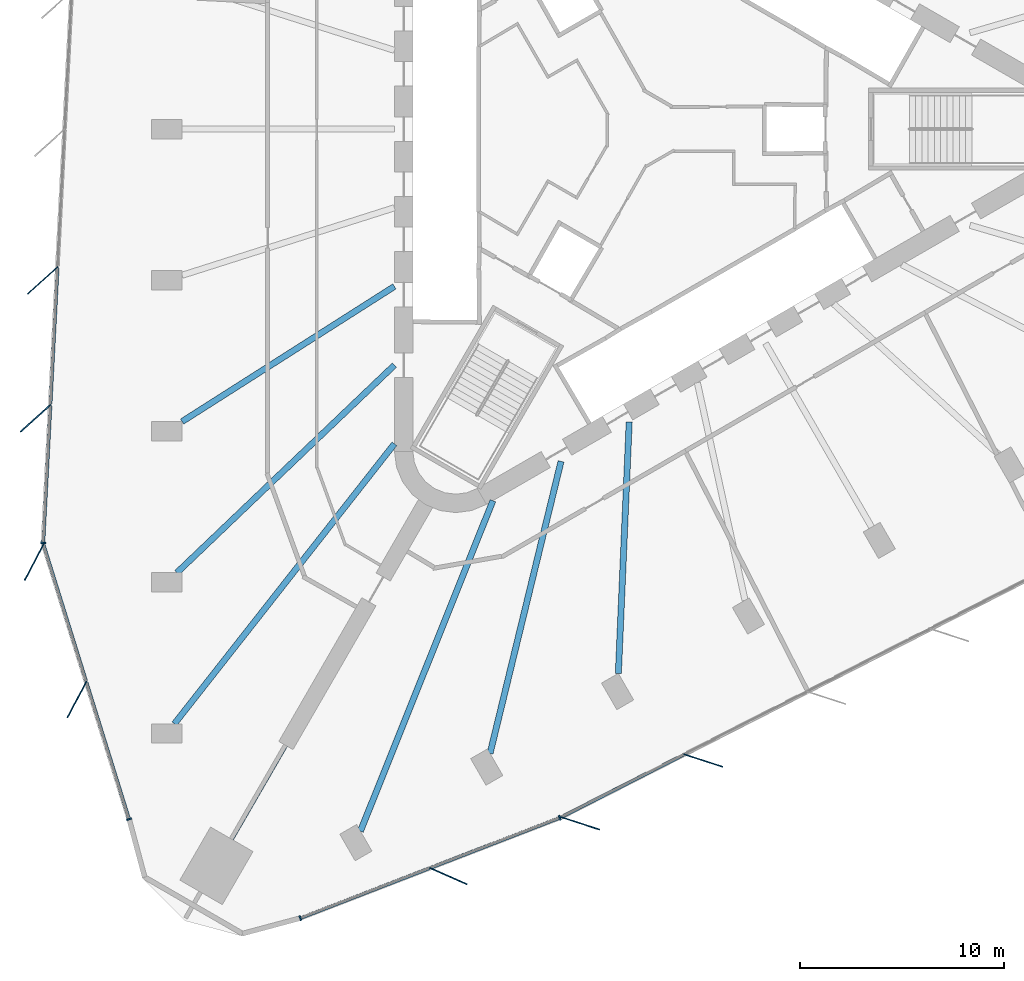
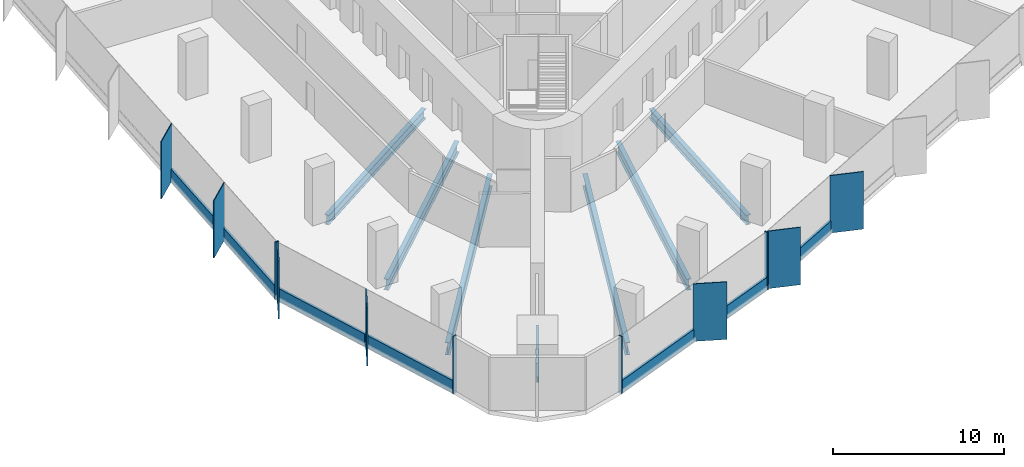
# One storey, part 2 of 14: 18 members, 7 beams, 4 elements without a shape of their own.
"""IFC4 building model written with IfcOpenShell, lengths in metres."""

from ifc_helpers import new_model, si_unit, direction, frame, origin, origin_2d, place, context, subcontext, project, spatial, rectangle, i_section, extrude, material, material_profile, profile_set, type_object, element, aggregate, save


model = new_model("IFC4")

# Units and contexts
model_context = context("Model", 3, precision=1e-05, world=origin(), true_north=direction((0.0, 1.0)))
body_context = subcontext(model_context, "Body", "Model", "MODEL_VIEW")
ifc_project = project(units=[si_unit("LENGTHUNIT", "METRE"), si_unit("AREAUNIT", "SQUARE_METRE"), si_unit("VOLUMEUNIT", "CUBIC_METRE"), si_unit("PLANEANGLEUNIT", "RADIAN"), si_unit("MASSUNIT", "GRAM", prefix="KILO")], contexts=[model_context])

# Site, building, storey
site_placement = place(None, origin())
site = spatial("IfcSite", under=ifc_project, at=site_placement, CompositionType="ELEMENT")
building_placement = place(site_placement, origin())
building = spatial("IfcBuilding", under=site, at=building_placement, Name="Tanit Gate Tower", CompositionType="ELEMENT")
storey_placement = place(building_placement, frame((0.0, 0.0, 78.300048828125)))
storey = spatial("IfcBuildingStorey", under=building, at=storey_placement, Name="L15", CompositionType="ELEMENT", Elevation=78.300048828125)

# Curtain wall, members
ifc_material_1 = material(Name="Aluminium bronze anodised and glass", Category="aluminium")
curtain_wall_type = type_object("IfcCurtainWallType", Name="Curtain wall typical low", PredefinedType="NOTDEFINED", material=ifc_material_1)
curtain_wall_1_placement = place(storey_placement, origin())
curtain_wall_1 = element("IfcCurtainWall", 1, at=curtain_wall_1_placement, inside=storey, type_object=curtain_wall_type, Name="Curtain wall L15 W2", PredefinedType="NOTDEFINED")
ifc_material_2 = material(Name="Aluminium bronze anodised", Category="aluminium")
ifc_material_profile_1 = material_profile(ifc_material_2, rectangle(XDim=2.0, YDim=0.055908203125, at=origin_2d()), Name="56x2000 bronze fin mullion")
ifc_profile_set_1 = profile_set([ifc_material_profile_1], Name="Aluminium bronze anodised")
member_type_1 = type_object("IfcMemberType", Name="FIN MULLION 56x2000 bronze", PredefinedType="MULLION", material=ifc_profile_set_1)
member_1_placement = place(storey_placement, frame((-29.304443359375, -7.400390625, -0.300048828125), z_axis=(0.0, 0.0, 1.0), x_axis=(0.742829073656, 0.66948111798, 0.0)))
member_1 = element("IfcMember", 2, at=member_1_placement, type_object=member_type_1, Name="Fin mullion L15 W2.5", PredefinedType="MULLION", context=body_context, shape_type="SweptSolid", body=[
    extrude(rectangle(XDim=2.0, YDim=0.055908203125, at=origin_2d()), origin(), (0.0, 0.0, 1.0), 4.10009765625),
])
member_2_placement = place(storey_placement, frame((-29.65478515625, -14.148193359375, -0.300048828125), z_axis=(0.0, 0.0, 1.0), x_axis=(0.742829073656, 0.66948111798, 0.0)))
member_2 = element("IfcMember", 3, at=member_2_placement, type_object=member_type_1, Name="Fin mullion L15 W2.6", PredefinedType="MULLION", context=body_context, shape_type="SweptSolid", body=[
    extrude(rectangle(XDim=2.0, YDim=0.055908203125, at=origin_2d()), origin(), (0.0, 0.0, 1.0), 4.10009765625),
])

curtain_wall_2_placement = place(storey_placement, origin())
curtain_wall_2 = element("IfcCurtainWall", 4, at=curtain_wall_2_placement, inside=storey, type_object=curtain_wall_type, Name="Curtain wall L15 W3", PredefinedType="NOTDEFINED")
member_3_placement = place(storey_placement, frame((-29.7236328125, -21.184814453125, -0.300048828125), z_axis=(0.0, 0.0, 1.0), x_axis=(0.464713557167, 0.885461071863, 0.0)))
member_3 = element("IfcMember", 5, at=member_3_placement, type_object=member_type_1, Name="Fin mullion L15 W3.1", PredefinedType="MULLION", context=body_context, shape_type="SweptSolid", body=[
    extrude(rectangle(XDim=2.0, YDim=0.055908203125, at=origin_2d()), origin(), (0.0, 0.0, 1.0), 4.10009765625),
])
member_4_placement = place(storey_placement, frame((-27.630126953125, -27.903076171875, -0.300048828125), z_axis=(0.0, 0.0, 1.0), x_axis=(0.464713557167, 0.885461071863, 0.0)))
member_4 = element("IfcMember", 6, at=member_4_placement, type_object=member_type_1, Name="Fin mullion L15 W3.2", PredefinedType="MULLION", context=body_context, shape_type="SweptSolid", body=[
    extrude(rectangle(XDim=2.0, YDim=0.055908203125, at=origin_2d()), origin(), (0.0, 0.0, 1.0), 4.10009765625),
])

# Curtain wall, member
curtain_wall_3_placement = place(storey_placement, origin())
curtain_wall_3 = element("IfcCurtainWall", 7, at=curtain_wall_3_placement, inside=storey, type_object=curtain_wall_type, Name="Curtain wall L15 SE1", PredefinedType="NOTDEFINED")
member_5_placement = place(storey_placement, frame((-9.4658203125, -36.538818359375, -0.300048828125), z_axis=(0.0, 0.0, 1.0), x_axis=(-0.914560400903, 0.404449345531, 0.0)))
member_5 = element("IfcMember", 8, at=member_5_placement, type_object=member_type_1, Name="Fin mullion L15 SE1.2", PredefinedType="MULLION", context=body_context, shape_type="SweptSolid", body=[
    extrude(rectangle(XDim=2.0, YDim=0.055908203125, at=origin_2d()), origin(), (0.0, 0.0, 1.0), 4.10009765625),
])

# Curtain wall, members
curtain_wall_4_placement = place(storey_placement, origin())
curtain_wall_4 = element("IfcCurtainWall", 9, at=curtain_wall_4_placement, inside=storey, type_object=curtain_wall_type, Name="Curtain wall L15 SE2", PredefinedType="NOTDEFINED")
member_6_placement = place(storey_placement, frame((-3.013916015625, -33.959228515625, -0.300048828125), z_axis=(0.0, 0.0, 1.0), x_axis=(-0.951202192353, 0.308568289465, 0.0)))
member_6 = element("IfcMember", 10, at=member_6_placement, type_object=member_type_1, Name="Fin mullion L15 SE2.1", PredefinedType="MULLION", context=body_context, shape_type="SweptSolid", body=[
    extrude(rectangle(XDim=2.0, YDim=0.055908203125, at=origin_2d()), origin(), (0.0, 0.0, 1.0), 4.10009765625),
])
member_7_placement = place(storey_placement, frame((3.0048828125, -30.888916015625, -0.300048828125), z_axis=(0.0, 0.0, 1.0), x_axis=(-0.951202192353, 0.308568289465, 0.0)))
member_7 = element("IfcMember", 11, at=member_7_placement, type_object=member_type_1, Name="Fin mullion L15 SE2.2", PredefinedType="MULLION", context=body_context, shape_type="SweptSolid", body=[
    extrude(rectangle(XDim=2.0, YDim=0.055908203125, at=origin_2d()), origin(), (0.0, 0.0, 1.0), 4.10009765625),
])

# Member
ifc_material_3 = material(Name="Aluminium bronze anodised", Category="aluminium")
ifc_material_profile_2 = material_profile(ifc_material_3, rectangle(XDim=0.239990234375, YDim=0.080078125, at=origin_2d()), Name="80x240 bronze mullion")
ifc_profile_set_2 = profile_set([ifc_material_profile_2], Name="Aluminium bronze anodised")
member_type_2 = type_object("IfcMemberType", Name="Mullion 80x240 typical low", PredefinedType="MULLION", material=ifc_profile_set_2)
member_8_placement = place(storey_placement, frame((-29.279296875, -20.241455078125, -0.300048828125), z_axis=(0.0, 0.0, 1.0), x_axis=(0.998654113645, -0.051864836844, 0.0)))
member_8 = element("IfcMember", 12, at=member_8_placement, type_object=member_type_2, Name="Mullion L15 W2.7", PredefinedType="MULLION", context=body_context, shape_type="SweptSolid", body=[
    extrude(rectangle(XDim=0.239990234375, YDim=0.080078125, at=origin_2d()), origin(), (0.0, 0.0, 1.0), 4.10009765625),
])

member_9_placement = place(storey_placement, frame((-25.082275390625, -33.755859375, -0.300048828125), z_axis=(0.0, 0.0, 1.0), x_axis=(0.954717635973, 0.297513420809, 0.0)))
member_9 = element("IfcMember", 13, at=member_9_placement, type_object=member_type_2, Name="Mullion L15 W3.3", PredefinedType="MULLION", context=body_context, shape_type="SweptSolid", body=[
    extrude(rectangle(XDim=0.239990234375, YDim=0.080078125, at=origin_2d()), origin(), (0.0, 0.0, 1.0), 4.10009765625),
])

member_10_placement = place(storey_placement, frame((-16.70263671875, -38.596435546875, -0.300048828125), z_axis=(0.0, 0.0, 1.0), x_axis=(-0.360702986411, 0.932680736155, 0.0)))
member_10 = element("IfcMember", 14, at=member_10_placement, type_object=member_type_2, Name="Mullion L15 SE1.1", PredefinedType="MULLION", context=body_context, shape_type="SweptSolid", body=[
    extrude(rectangle(XDim=0.239990234375, YDim=0.080078125, at=origin_2d()), origin(), (0.0, 0.0, 1.0), 4.10009765625),
])

member_11_placement = place(storey_placement, frame((-4.0166015625, -33.6904296875, -0.300048828125), z_axis=(0.0, 0.0, 1.0), x_axis=(-0.360702986411, 0.932680736155, 0.0)))
member_11 = element("IfcMember", 15, at=member_11_placement, type_object=member_type_2, Name="Mullion L15 SE1.3", PredefinedType="MULLION", context=body_context, shape_type="SweptSolid", body=[
    extrude(rectangle(XDim=0.239990234375, YDim=0.080078125, at=origin_2d()), origin(), (0.0, 0.0, 1.0), 4.10009765625),
])

# Beams
ifc_material_4 = material(Name="Steel S355", Category="steel")
ifc_material_profile_3 = material_profile(ifc_material_4, i_section(OverallWidth=0.300048828125, OverallDepth=0.68994140625, WebThickness=0.014404296875, FlangeThickness=0.027099609375, FilletRadius=0.027099609375, at=origin_2d()), Name="HEA 700")
ifc_profile_set_3 = profile_set([ifc_material_profile_3], Name="Steel S355")
beam_type_1 = type_object("IfcBeamType", Name="RADIAL GIRDER HEA 700 S355", PredefinedType="BEAM", material=ifc_profile_set_3)
for number, where, z_axis, x_axis, name in (
    (16, (-22.489013671875, -14.307861328125, -0.64501953125), (0.843716193989, 0.536789515546, 0.0), (-0.536789515546, 0.843716193989, 0.0), "RADIAL GIRDER"),
    (17, (-1.146484375, -26.6298828125, -0.64501953125), (0.043013806202, 0.999074477942, 0.0), (-0.999074477942, 0.043013806202, 0.0), "RADIAL GIRDER"),
):
    element("IfcBeam", number, at=place(storey_placement, frame(where, z_axis=z_axis, x_axis=x_axis)), inside=storey, type_object=beam_type_1, Name=name, PredefinedType="BEAM", context=body_context, shape_type="SweptSolid", body=[
        extrude(i_section(OverallWidth=0.300048828125, OverallDepth=0.68994140625, WebThickness=0.014404296875, FlangeThickness=0.027099609375, FilletRadius=0.027099609375, at=origin_2d()), origin(), (0.0, 0.0, 1.0), 12.31103515625),
    ])
ifc_material_5 = material(Name="Steel S355", Category="steel")
ifc_material_profile_4 = material_profile(ifc_material_5, i_section(OverallWidth=0.300048828125, OverallDepth=0.7900390625, WebThickness=0.014892578125, FlangeThickness=0.028076171875, FilletRadius=0.030029296875, at=origin_2d()), Name="HEA 800")
ifc_profile_set_4 = profile_set([ifc_material_profile_4], Name="Steel S355")
beam_type_2 = type_object("IfcBeamType", Name="RADIAL GIRDER HEA 800 S355", PredefinedType="BEAM", material=ifc_profile_set_4)
for number, where, z_axis, x_axis, name in (
    (18, (-22.738037109375, -21.69921875, -0.695068359375), (0.723444887899, 0.690382136337, 0.0), (-0.690382136337, 0.723444887899, 0.0), "RADIAL GIRDER"),
    (19, (-7.423095703125, -30.541259765625, -0.695068359375), (0.236169367987, 0.971711906701, 0.0), (-0.971711906701, 0.236169367987, 0.0), "RADIAL GIRDER"),
):
    element("IfcBeam", number, at=place(storey_placement, frame(where, z_axis=z_axis, x_axis=x_axis)), inside=storey, type_object=beam_type_2, Name=name, PredefinedType="BEAM", context=body_context, shape_type="SweptSolid", body=[
        extrude(i_section(OverallWidth=0.300048828125, OverallDepth=0.7900390625, WebThickness=0.014892578125, FlangeThickness=0.028076171875, FilletRadius=0.030029296875, at=origin_2d()), origin(), (0.0, 0.0, 1.0), 14.701904296875),
    ])
ifc_material_6 = material(Name="Steel S355", Category="steel")
ifc_material_profile_5 = material_profile(ifc_material_6, i_section(OverallWidth=0.300048828125, OverallDepth=0.889892578125, WebThickness=0.01611328125, FlangeThickness=0.030029296875, FilletRadius=0.030029296875, at=origin_2d()), Name="HEA 900")
ifc_profile_set_5 = profile_set([ifc_material_profile_5], Name="Steel S355")
beam_type_3 = type_object("IfcBeamType", Name="RADIAL GIRDER HEA 900 S355", PredefinedType="BEAM", material=ifc_profile_set_5)
for number, where, z_axis, x_axis, name in (
    (20, (-22.8623046875, -29.0908203125, -0.7451171875), (0.617904516847, 0.786253145024, 0.0), (-0.786253145024, 0.617904516847, 0.0), "RADIAL GIRDER"),
    (21, (-13.76220703125, -34.3447265625, -0.7451171875), (0.371958649454, 0.928249300078, 0.0), (-0.928249300078, 0.371958649454, 0.0), "RADIAL GIRDER"),
):
    element("IfcBeam", number, at=place(storey_placement, frame(where, z_axis=z_axis, x_axis=x_axis)), inside=storey, type_object=beam_type_3, Name=name, PredefinedType="BEAM", context=body_context, shape_type="SweptSolid", body=[
        extrude(i_section(OverallWidth=0.300048828125, OverallDepth=0.889892578125, WebThickness=0.01611328125, FlangeThickness=0.030029296875, FilletRadius=0.030029296875, at=origin_2d()), origin(), (0.0, 0.0, 1.0), 17.4140625),
    ])
ifc_material_7 = material(Name="Steel S355", Category="steel")
ifc_material_profile_6 = material_profile(ifc_material_7, i_section(OverallWidth=0.179931640625, OverallDepth=0.39990234375, WebThickness=0.008544921875, FlangeThickness=0.013427734375, FilletRadius=0.02099609375, at=origin_2d()), Name="IPE 400")
ifc_profile_set_6 = profile_set([ifc_material_profile_6], Name="Steel S355")
beam_type_4 = type_object("IfcBeamType", Name="RADIAL GIRDER IPE 400 S355", PredefinedType="BEAM", material=ifc_profile_set_6)
beam_placement = place(storey_placement, frame((-20.05810546875, -34.741455078125, -0.5), z_axis=(0.499991120112, 0.86603053053, 0.0), x_axis=(-0.86603053053, 0.499991120112, 0.0)))
element("IfcBeam", 22, at=beam_placement, inside=storey, type_object=beam_type_4, Name="RADIAL GIRDER", PredefinedType="BEAM", context=body_context, shape_type="SweptSolid", body=[
    extrude(i_section(OverallWidth=0.179931640625, OverallDepth=0.39990234375, WebThickness=0.008544921875, FlangeThickness=0.013427734375, FilletRadius=0.02099609375, at=origin_2d()), origin(), (0.0, 0.0, 1.0), 5.29638671875),
])

# Member
ifc_material_8 = material(Name="Aluminium bronze anodised", Category="aluminium")
ifc_material_profile_7 = material_profile(ifc_material_8, rectangle(XDim=0.159912109375, YDim=0.89990234375, at=origin_2d()), Name="160x900 bronze transom")
ifc_profile_set_7 = profile_set([ifc_material_profile_7], Name="Aluminium bronze anodised")
member_type_3 = type_object("IfcMemberType", Name="Transom 160x900 typical low", PredefinedType="USERDEFINED", material=ifc_profile_set_7)
member_12_placement = place(storey_placement, frame((-28.580322265625, -6.7861328125, 0.14990234375), z_axis=(-0.051887098471, -0.998652957244, 0.0), x_axis=(0.998652957244, -0.051887098471, 0.0)))
member_12 = element("IfcMember", 23, at=member_12_placement, type_object=member_type_3, Name="Transom L15 W2.5", ObjectType="TRANSOM", PredefinedType="USERDEFINED", context=body_context, shape_type="SweptSolid", body=[
    extrude(rectangle(XDim=0.159912109375, YDim=0.89990234375, at=origin_2d()), origin(), (0.0, 0.0, 1.0), 6.6767578125),
])

member_13_placement = place(storey_placement, frame((-28.930908203125, -13.53369140625, 0.14990234375), z_axis=(-0.051850630851, -0.998654851328, 0.0), x_axis=(0.998654851328, -0.051850630851, 0.0)))
member_13 = element("IfcMember", 24, at=member_13_placement, type_object=member_type_3, Name="Transom L15 W2.6", ObjectType="TRANSOM", PredefinedType="USERDEFINED", context=body_context, shape_type="SweptSolid", body=[
    extrude(rectangle(XDim=0.159912109375, YDim=0.89990234375, at=origin_2d()), origin(), (0.0, 0.0, 1.0), 6.6767578125),
])

aggregate(curtain_wall_1, [member_1, member_2, member_8, member_12, member_13])

member_14_placement = place(storey_placement, frame((-29.257568359375, -20.357666015625, 0.14990234375), z_axis=(0.297521579242, -0.954715093568, 0.0), x_axis=(0.954715093568, 0.297521579242, 0.0)))
member_14 = element("IfcMember", 25, at=member_14_placement, type_object=member_type_3, Name="Transom L15 W3.1", ObjectType="TRANSOM", PredefinedType="USERDEFINED", context=body_context, shape_type="SweptSolid", body=[
    extrude(rectangle(XDim=0.159912109375, YDim=0.89990234375, at=origin_2d()), origin(), (0.0, 0.0, 1.0), 6.956787109375),
])

member_15_placement = place(storey_placement, frame((-27.163818359375, -27.075927734375, 0.14990234375), z_axis=(0.297489591805, -0.954725061349, 0.0), x_axis=(0.954725061349, 0.297489591805, 0.0)))
member_15 = element("IfcMember", 26, at=member_15_placement, type_object=member_type_3, Name="Transom L15 W3.2", ObjectType="TRANSOM", PredefinedType="USERDEFINED", context=body_context, shape_type="SweptSolid", body=[
    extrude(rectangle(XDim=0.159912109375, YDim=0.89990234375, at=origin_2d()), origin(), (0.0, 0.0, 1.0), 6.956787109375),
])

aggregate(curtain_wall_2, [member_3, member_4, member_9, member_14, member_15])

member_16_placement = place(storey_placement, frame((-16.665283203125, -38.58203125, 0.14990234375), z_axis=(0.932686791594, 0.360687328286, 0.0), x_axis=(-0.360687328286, 0.932686791594, 0.0)))
member_16 = element("IfcMember", 27, at=member_16_placement, type_object=member_type_3, Name="Transom L15 SE1.1", ObjectType="TRANSOM", PredefinedType="USERDEFINED", context=body_context, shape_type="SweptSolid", body=[
    extrude(rectangle(XDim=0.159912109375, YDim=0.89990234375, at=origin_2d()), origin(), (0.0, 0.0, 1.0), 6.720703125),
])

member_17_placement = place(storey_placement, frame((-10.322265625, -36.12890625, 0.14990234375), z_axis=(0.932686791594, 0.360687328286, 0.0), x_axis=(-0.360687328286, 0.932686791594, 0.0)))
member_17 = element("IfcMember", 28, at=member_17_placement, type_object=member_type_3, Name="Transom L15 SE1.2", ObjectType="TRANSOM", PredefinedType="USERDEFINED", context=body_context, shape_type="SweptSolid", body=[
    extrude(rectangle(XDim=0.159912109375, YDim=0.89990234375, at=origin_2d()), origin(), (0.0, 0.0, 1.0), 6.720703125),
])

aggregate(curtain_wall_3, [member_10, member_5, member_11, member_16, member_17])

member_18_placement = place(storey_placement, frame((-3.907958984375, -33.6396484375, 0.14990234375), z_axis=(0.890792681995, 0.454409944549, 0.0), x_axis=(-0.454409944549, 0.890792681995, 0.0)))
member_18 = element("IfcMember", 29, at=member_18_placement, type_object=member_type_3, Name="Transom L15 SE2.1", ObjectType="TRANSOM", PredefinedType="USERDEFINED", context=body_context, shape_type="SweptSolid", body=[
    extrude(rectangle(XDim=0.159912109375, YDim=0.89990234375, at=origin_2d()), origin(), (0.0, 0.0, 1.0), 6.6767578125),
])

aggregate(curtain_wall_4, [member_6, member_7, member_18])

save(model, "model.ifc")
